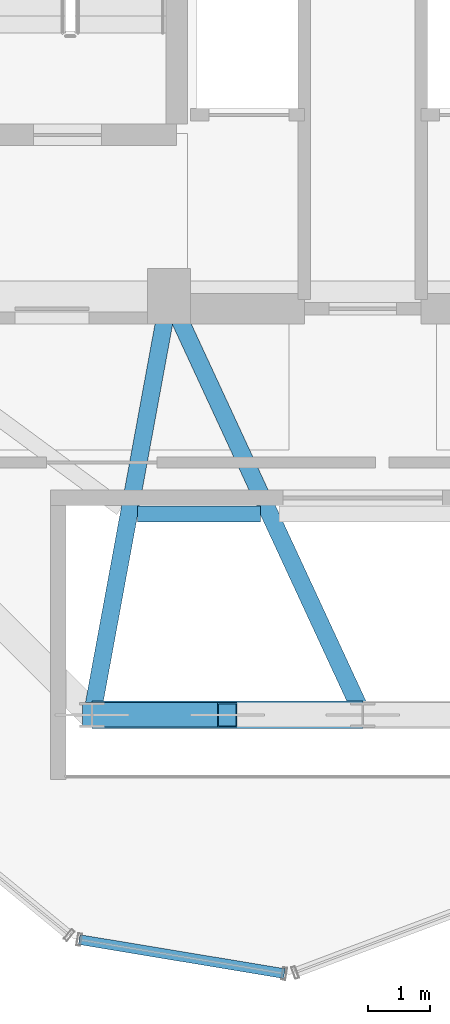
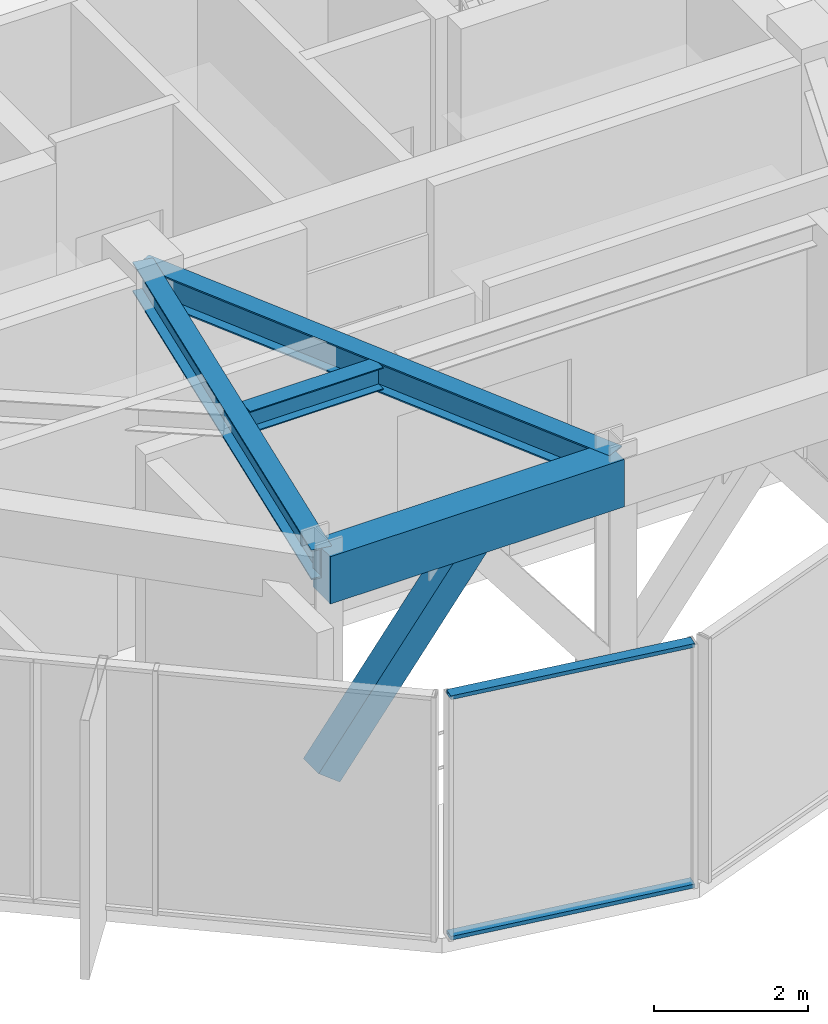
# One storey, part 3 of 22: 4 beams, 3 members, 1 element without a shape of its own.
"""IFC4 building model written with IfcOpenShell, lengths in metres."""

from ifc_helpers import new_model, si_unit, direction, frame, origin, origin_2d, place, context, subcontext, project, spatial, rectangle, hollow_rectangle, i_section, extrude, source, transform, mapped, material, layer, layer_set, material_profile, profile_set, type_object, element, aggregate, save


model = new_model("IFC4")

# Units and contexts
model_context = context("Model", 3, precision=1e-05, world=origin(), true_north=direction((0.0, 1.0)))
body_context = subcontext(model_context, "Body", "Model", "MODEL_VIEW")
ifc_project = project(units=[si_unit("LENGTHUNIT", "METRE"), si_unit("AREAUNIT", "SQUARE_METRE"), si_unit("VOLUMEUNIT", "CUBIC_METRE"), si_unit("PLANEANGLEUNIT", "RADIAN"), si_unit("MASSUNIT", "GRAM", prefix="KILO")], contexts=[model_context])

# Site, building, storey
site_placement = place(None, origin())
site = spatial("IfcSite", under=ifc_project, at=site_placement, CompositionType="ELEMENT")
building_placement = place(site_placement, origin())
building = spatial("IfcBuilding", under=site, at=building_placement, Name="Veraguas Prism Commons", CompositionType="ELEMENT")
storey_placement = place(building_placement, frame((0.0, 0.0, 240.64990234375)))
storey = spatial("IfcBuildingStorey", under=building, at=storey_placement, Name="L68", CompositionType="ELEMENT", Elevation=240.64990234375)

# Beams
ifc_material_1 = material(Name="Concrete C50/60", Category="concrete")
ifc_material_profile_1 = material_profile(ifc_material_1, rectangle(XDim=0.449951171875, YDim=0.75, at=origin_2d()), Name="RC450X750")
ifc_profile_set_1 = profile_set([ifc_material_profile_1], Name="Concrete C50/60")
beam_type_1 = type_object("IfcBeamType", Name="Perimeter Spandrel Upper RC 450x750", PredefinedType="SPANDREL", material=ifc_profile_set_1)
beam_1_placement = place(storey_placement, frame((19.60009765625, 10.199951171875, 3.489990234375), z_axis=(1.0, 0.0, 0.0), x_axis=(0.0, 1.0, 0.0)))
element("IfcBeam", 1, at=beam_1_placement, inside=storey, type_object=beam_type_1, Name="Perimeter Spandrel Beam L68-SP10", PredefinedType="SPANDREL", context=body_context, shape_type="SweptSolid", body=[
    extrude(rectangle(XDim=0.449951171875, YDim=0.75, at=origin_2d()), origin(), (0.0, 0.0, 1.0), 4.39990234375),
])
ifc_material_2 = material(Name="Steel ASTM A992 Grade 50", Category="steel")
ifc_material_profile_2 = material_profile(ifc_material_2, i_section(OverallWidth=0.25390625, OverallDepth=0.35302734375, WebThickness=0.009521484375, FlangeThickness=0.016357421875, at=origin_2d()), Name="W360X91")
ifc_profile_set_2 = profile_set([ifc_material_profile_2], Name="Steel ASTM A992 Grade 50")
beam_type_2 = type_object("IfcBeamType", Name="Upper Floor Joist W360x91", PredefinedType="JOIST", material=ifc_profile_set_2)
beam_2_placement = place(storey_placement, frame((20.341796875, 13.464111328125, 3.6884765625), z_axis=(1.0, 0.0, 0.0), x_axis=(0.0, 1.0, 0.0)))
element("IfcBeam", 2, at=beam_2_placement, inside=storey, type_object=beam_type_2, Name="Composite Floor Joist L68-JS10", PredefinedType="JOIST", context=body_context, shape_type="SweptSolid", body=[
    extrude(i_section(OverallWidth=0.25390625, OverallDepth=0.35302734375, WebThickness=0.009521484375, FlangeThickness=0.016357421875, at=origin_2d()), origin(), (0.0, 0.0, 1.0), 1.992431640625),
])

# Member
ifc_material_3 = material(Name="Steel ASTM A500 Grade C", Category="steel")
ifc_material_profile_3 = material_profile(ifc_material_3, hollow_rectangle(XDim=0.39990234375, YDim=0.39990234375, WallThickness=0.02001953125, at=origin_2d()), Name="HSS400X400X20")
ifc_profile_set_3 = profile_set([ifc_material_profile_3], Name="Steel ASTM A500 Grade C")
member_type_1 = type_object("IfcMemberType", Name="Wind Portal V-Brace HSS 400x400x20", PredefinedType="BRACE", material=ifc_profile_set_3)
member_1_placement = place(storey_placement, frame((19.60009765625, 10.199951171875, 0.35009765625), z_axis=(0.609034408939, 0.0, 0.793143800788), x_axis=(0.0, 1.0, 0.0)))
element("IfcMember", 3, at=member_1_placement, inside=storey, type_object=member_type_1, Name="Wind Portal Frame Brace L68-01A", PredefinedType="BRACE", context=body_context, shape_type="SweptSolid", body=[
    extrude(hollow_rectangle(XDim=0.39990234375, YDim=0.39990234375, WallThickness=0.02001953125, at=origin_2d()), origin(), (0.0, 0.0, 1.0), 3.6123046875),
])

# Beams
ifc_material_profile_4 = material_profile(ifc_material_2, i_section(OverallWidth=0.282958984375, OverallDepth=0.471923828125, WebThickness=0.013671875, FlangeThickness=0.022216796875, at=origin_2d()), Name="W460X144")
ifc_profile_set_4 = profile_set([ifc_material_profile_4], Name="Steel ASTM A992 Grade 50")
beam_type_3 = type_object("IfcBeamType", Name="Zone 4 Radial Girder W460x144", PredefinedType="BEAM", material=ifc_profile_set_4)
beam_3_placement = place(storey_placement, frame((19.60009765625, 10.199951171875, 3.629150390625), z_axis=(0.180793033327, 0.983521163524, 0.0), x_axis=(-0.983521163524, 0.180793033327, 0.0)))
element("IfcBeam", 4, at=beam_3_placement, inside=storey, type_object=beam_type_3, Name="Radial Floor Girder L68-RD10", PredefinedType="BEAM", context=body_context, shape_type="SweptSolid", body=[
    extrude(i_section(OverallWidth=0.282958984375, OverallDepth=0.471923828125, WebThickness=0.013671875, FlangeThickness=0.022216796875, at=origin_2d()), origin(), (0.0, 0.0, 1.0), 6.9140625),
])
beam_4_placement = place(storey_placement, frame((24.0, 10.199951171875, 3.629150390625), z_axis=(-0.420313834543, 0.907378796585, 0.0), x_axis=(-0.907378796585, -0.420313834543, 0.0)))
element("IfcBeam", 5, at=beam_4_placement, inside=storey, type_object=beam_type_3, Name="Radial Floor Girder L68-RD11", PredefinedType="BEAM", context=body_context, shape_type="SweptSolid", body=[
    extrude(i_section(OverallWidth=0.282958984375, OverallDepth=0.471923828125, WebThickness=0.013671875, FlangeThickness=0.022216796875, at=origin_2d()), origin(), (0.0, 0.0, 1.0), 7.494140625),
])

# Curtain wall, members
ifc_material_4 = material(Name="Anodised aluminium EN AW-6063 T6", Category="aluminium")
ifc_layer = layer(ifc_material_4, 0.199951171875, Name="Sky Lobby and Pool Acoustic Curtain Wall", Category="aluminium")
ifc_layer_set = layer_set([ifc_layer], Name="Anodised aluminium EN AW-6063 T6")
curtain_wall_type = type_object("IfcCurtainWallType", Name="Sky Lobby and Pool Acoustic Curtain Wall", PredefinedType="NOTDEFINED", material=ifc_layer_set)
curtain_wall_placement = place(storey_placement, origin())
curtain_wall = element("IfcCurtainWall", 6, at=curtain_wall_placement, inside=storey, type_object=curtain_wall_type, Name="Chamfer Curtain Wall L68-C5", PredefinedType="NOTDEFINED")
ifc_material_profile_5 = material_profile(ifc_material_4, hollow_rectangle(XDim=0.06005859375, YDim=0.159912109375, WallThickness=0.0029296875, at=origin_2d()), Name="AL60X160X3")
ifc_profile_set_5 = profile_set([ifc_material_profile_5], Name="Anodised aluminium EN AW-6063 T6")
member_type_2 = type_object("IfcMemberType", Name="Curtain Wall Transom Heavy AL 60x160x3", PredefinedType="USERDEFINED", material=ifc_profile_set_5)
shared_shape = source(origin(), body_context, "Body", "SweptSolid", [
    extrude(hollow_rectangle(XDim=0.06005859375, YDim=0.159912109375, WallThickness=0.0029296875, at=origin_2d()), origin(), (0.0, 0.0, 1.0), 3.377685546875),
])
member_2_placement = place(storey_placement, frame((19.392578125, 6.547119140625, 0.030029296875), z_axis=(0.986518668655, -0.16364875922, 0.0), x_axis=(0.0, 0.0, 1.0)))
member_2 = element("IfcMember", 7, at=member_2_placement, type_object=member_type_2, Name="CW-SKY Transom 1", ObjectType="TRANSOM", PredefinedType="USERDEFINED", context=body_context, shape_type="MappedRepresentation", body=[
    mapped(shared_shape, transform((0.0, 0.0, 0.0), scale=1.0)),
])
member_3_placement = place(storey_placement, frame((19.392578125, 6.547119140625, 3.835205078125), z_axis=(0.986518668655, -0.16364875922, 0.0), x_axis=(0.0, 0.0, 1.0)))
member_3 = element("IfcMember", 8, at=member_3_placement, type_object=member_type_2, Name="CW-SKY Transom 2", ObjectType="TRANSOM", PredefinedType="USERDEFINED", context=body_context, shape_type="MappedRepresentation", body=[
    mapped(shared_shape, transform((0.0, 0.0, 0.0), scale=1.0)),
])
aggregate(curtain_wall, [member_2, member_3])

save(model, "model.ifc")
